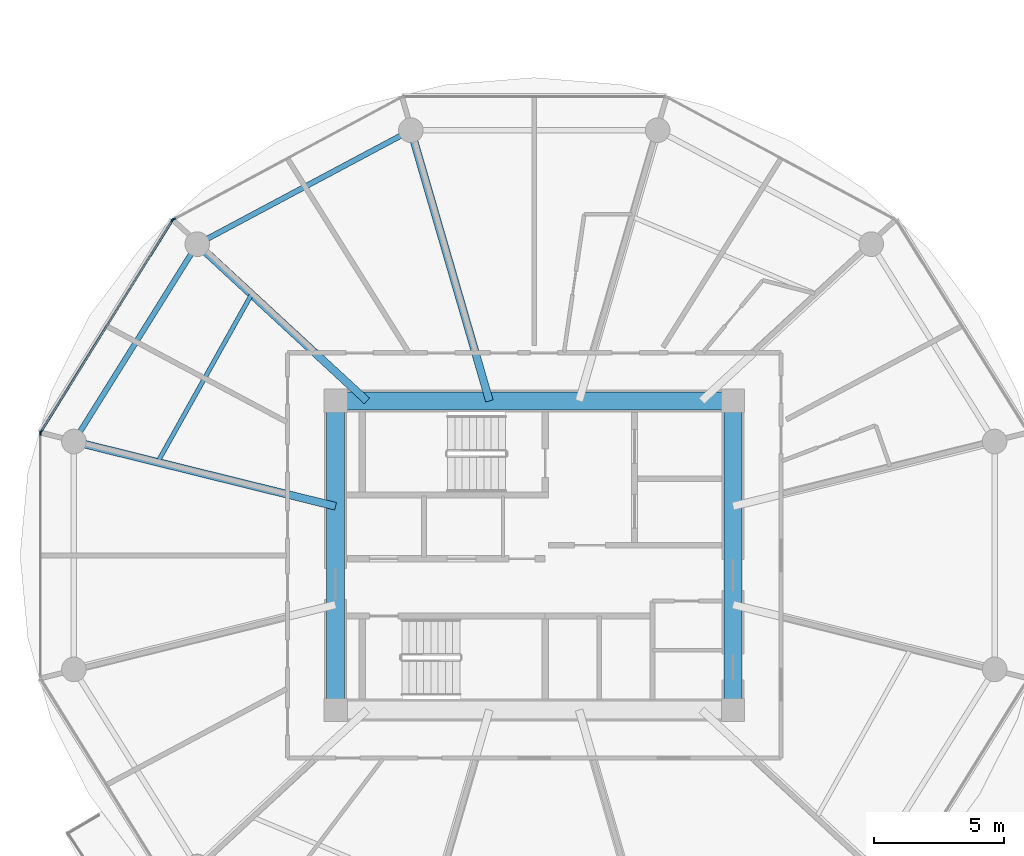
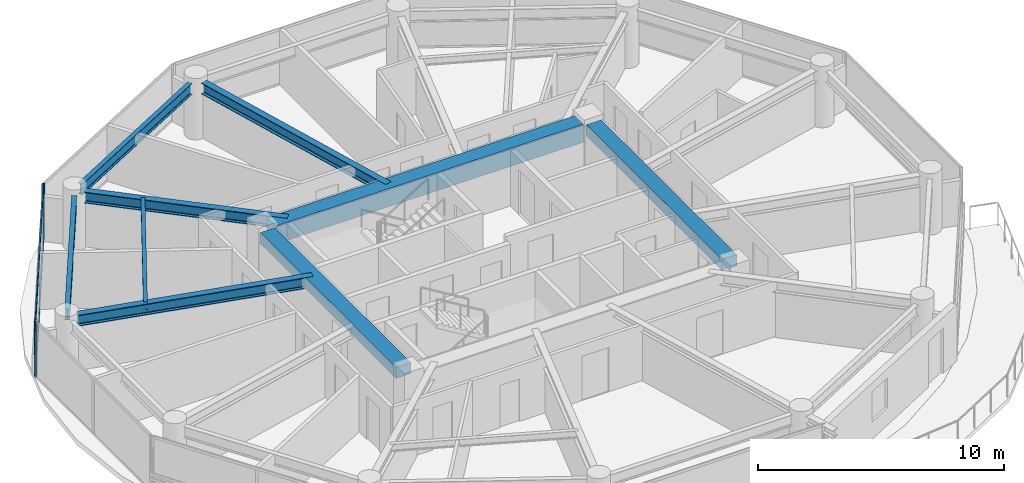
# One storey, part 4 of 26: 9 beams, 6 members, 3 elements without a shape of their own.
"""IFC4 building model written with IfcOpenShell, lengths in metres."""

import ifcopenshell
import ifcopenshell.guid

model = None  # the IFC model being written
_history = None  # IfcOwnerHistory: only IFC2X3 demands one
_inside = {}  # id of a spatial element -> (the spatial element, [elements in it])
_under = {}  # id of a project, library or spatial element -> (it, [spatial elements below it])
_declared = {}  # id of a project -> (the project, [libraries it declares])
_typed = {}  # id of a type object -> (the type object, [elements of that type])
_made_of = {}  # id of a material, layer set ... -> (it, [elements and type objects made of it])


def new_model(schema):
    """Start an empty IFC model of exactly this schema.

    Asked for "IFC4X3", IfcOpenShell would pick the latest addendum, in which some entities
    have other attributes; the version numbers below select the first issue.
    IFC2X3 requires an IfcOwnerHistory on every rooted entity: one is made here for all.
    """
    global model, _history
    if schema == "IFC4X3":
        model = ifcopenshell.file(schema_version=(4, 3, 0, 0))
    else:
        model = ifcopenshell.file(schema=schema)
    _inside.clear()
    _under.clear()
    _declared.clear()
    _typed.clear()
    _made_of.clear()
    _history = None
    if model.schema == "IFC2X3":
        org = make("IfcOrganization", Name="unknown")
        user = make(
            "IfcPersonAndOrganization",
            ThePerson=make("IfcPerson", FamilyName="unknown"),
            TheOrganization=org,
        )
        app = make(
            "IfcApplication",
            ApplicationDeveloper=org,
            Version="unknown",
            ApplicationFullName="unknown",
            ApplicationIdentifier="unknown",
        )
        _history = make(
            "IfcOwnerHistory",
            OwningUser=user,
            OwningApplication=app,
            ChangeAction="ADDED",
            CreationDate=0,
        )
    return model


def make(cls, **values):
    """One entity of the class cls with the attributes given. An attribute that is None is left unset."""
    return model.create_entity(
        cls, **{name: value for name, value in values.items() if value is not None}
    )


def rooted(cls, **values):
    """An entity with a GlobalId (a new one), such as an element, a storey or a relation."""
    return make(cls, GlobalId=ifcopenshell.guid.new(), OwnerHistory=_history, **values)


def si_unit(unit_type, name, prefix=None):
    """IfcSIUnit, for example si_unit("LENGTHUNIT", "METRE", prefix="MILLI")."""
    return make("IfcSIUnit", UnitType=unit_type, Prefix=prefix, Name=name)


def assignment(units):
    """IfcUnitAssignment: the units of a project."""
    return None if units is None else make("IfcUnitAssignment", Units=units)


def point(xyz):
    """IfcCartesianPoint."""
    return None if xyz is None else make("IfcCartesianPoint", Coordinates=xyz)


def direction(xyz):
    """IfcDirection."""
    return None if xyz is None else make("IfcDirection", DirectionRatios=xyz)


def frame(location, z_axis=None, x_axis=None):
    """IfcAxis2Placement3D, a coordinate frame: its origin and axes. An axis left out is left unset."""
    return make(
        "IfcAxis2Placement3D",
        Location=point(location),
        Axis=direction(z_axis),
        RefDirection=direction(x_axis),
    )


def frame_2d(location, x_axis=None):
    """IfcAxis2Placement2D, a coordinate frame in the plane: its origin and x axis."""
    return make(
        "IfcAxis2Placement2D", Location=point(location), RefDirection=direction(x_axis)
    )


def origin():
    """The frame at (0, 0, 0) with its axes left unset."""
    return frame((0.0, 0.0, 0.0))


def origin_2d():
    """The frame at (0, 0) in the plane with its x axis left unset."""
    return frame_2d((0.0, 0.0))


def place(relative_to, where):
    """IfcLocalPlacement: puts the frame where relative to a parent placement (None: the world)."""
    return make(
        "IfcLocalPlacement", PlacementRelTo=relative_to, RelativePlacement=where
    )


def context(
    kind, dimensions, precision=None, world=None, true_north=None, identifier=None
):
    """IfcGeometricRepresentationContext, for example the 3D "Model" context."""
    return make(
        "IfcGeometricRepresentationContext",
        ContextIdentifier=identifier,
        ContextType=kind,
        CoordinateSpaceDimension=dimensions,
        Precision=precision,
        WorldCoordinateSystem=world,
        TrueNorth=true_north,
    )


def subcontext(parent, identifier, kind, view, scale=None):
    """IfcGeometricRepresentationSubContext, for example "Body" below "Model"."""
    return make(
        "IfcGeometricRepresentationSubContext",
        ContextIdentifier=identifier,
        ContextType=kind,
        ParentContext=parent,
        TargetScale=scale,
        TargetView=view,
    )


def project(units=None, contexts=None):
    """IfcProject with its units and contexts."""
    return rooted(
        "IfcProject",
        Name="project",
        RepresentationContexts=contexts,
        UnitsInContext=assignment(units),
    )


def spatial(cls, under=None, at=None, **own):
    """A site, building, storey or space (cls), placed at a placement, below another one or the project."""
    s = rooted(cls, ObjectPlacement=at, **own)
    if under is not None:
        _under.setdefault(under.id(), (under, []))[1].append(s)
    return s


def profile(cls, at=None, kind="AREA", **sizes):
    """A parametric profile (cls). Its sizes go by their IFC names, for example OverallWidth=200.0."""
    return make(cls, ProfileType=kind, Position=at, **sizes)


def rectangle(**sizes):
    """IfcRectangleProfileDef."""
    return profile("IfcRectangleProfileDef", **sizes)


def i_section(**sizes):
    """IfcIShapeProfileDef."""
    return profile("IfcIShapeProfileDef", **sizes)


def extrude(swept, where, along, depth):
    """IfcExtrudedAreaSolid: the profile swept, set in the frame where, extruded along a direction by depth."""
    return make(
        "IfcExtrudedAreaSolid",
        SweptArea=swept,
        Position=where,
        ExtrudedDirection=direction(along),
        Depth=depth,
    )


def shape(context_of_items, identifier, shape_type, items):
    """IfcShapeRepresentation: the items that make up one representation, for example the "Body"."""
    return make(
        "IfcShapeRepresentation",
        ContextOfItems=context_of_items,
        RepresentationIdentifier=identifier,
        RepresentationType=shape_type,
        Items=items,
    )


def source(mapping_origin, context_of_items, identifier, shape_type, items):
    """IfcRepresentationMap: a shape defined once, which mapped items show again and again."""
    return make(
        "IfcRepresentationMap",
        MappingOrigin=mapping_origin,
        MappedRepresentation=shape(context_of_items, identifier, shape_type, items),
    )


def transform(
    local_origin,
    x_axis=None,
    y_axis=None,
    z_axis=None,
    scale=None,
    scale2=None,
    scale3=None,
    uniform=True,
):
    """IfcCartesianTransformationOperator3D, or its non-uniform kind. x_axis, y_axis, z_axis: its Axis1, 2, 3."""
    if uniform:
        return make(
            "IfcCartesianTransformationOperator3D",
            Axis1=direction(x_axis),
            Axis2=direction(y_axis),
            LocalOrigin=point(local_origin),
            Scale=scale,
            Axis3=direction(z_axis),
        )
    return make(
        "IfcCartesianTransformationOperator3DnonUniform",
        Axis1=direction(x_axis),
        Axis2=direction(y_axis),
        LocalOrigin=point(local_origin),
        Scale=scale,
        Axis3=direction(z_axis),
        Scale2=scale2,
        Scale3=scale3,
    )


def mapped(mapping_source, mapping_target):
    """IfcMappedItem: shows the shape of a source again, moved by a transform."""
    return make(
        "IfcMappedItem", MappingSource=mapping_source, MappingTarget=mapping_target
    )


def material(Name=None, Category=None):
    """IfcMaterial."""
    return make("IfcMaterial", Name=Name, Category=Category)


def layer(
    of_material, thickness, ventilated=None, Name=None, Category=None, Priority=None
):
    """IfcMaterialLayer: one layer of a wall or slab, of a material (None: an air gap)."""
    return make(
        "IfcMaterialLayer",
        Material=of_material,
        LayerThickness=thickness,
        IsVentilated=ventilated,
        Name=Name,
        Category=Category,
        Priority=Priority,
    )


def layer_set(layers, Name=None):
    """IfcMaterialLayerSet."""
    return make("IfcMaterialLayerSet", MaterialLayers=layers, LayerSetName=Name)


def material_profile(
    of_material, cross_section, Name=None, Category=None, Priority=None
):
    """IfcMaterialProfile: a cross section and its material."""
    return make(
        "IfcMaterialProfile",
        Name=Name,
        Material=of_material,
        Profile=cross_section,
        Priority=Priority,
        Category=Category,
    )


def profile_set(profiles, Name=None, composite=None):
    """IfcMaterialProfileSet."""
    return make(
        "IfcMaterialProfileSet",
        Name=Name,
        MaterialProfiles=profiles,
        CompositeProfile=composite,
    )


def made_of(thing, what):
    """Note that an element or type object is made of a material, layer set ...; save() writes the relation."""
    if what is not None:
        _made_of.setdefault(what.id(), (what, []))[1].append(thing)
    return thing


def type_object(cls, material=None, **own):
    """A type object (cls), such as IfcWallType, which elements share."""
    return made_of(rooted(cls, **own), material)


def type_shapes(of_type, sources):
    """Give a type object the sources (RepresentationMaps) that its elements show as mapped items."""
    of_type.RepresentationMaps = sources


def element(
    cls,
    number,
    at=None,
    inside=None,
    cuts=None,
    type_object=None,
    material=None,
    context=None,
    identifier="Body",
    shape_type=None,
    held_by="IfcProductDefinitionShape",
    body=None,
    shapes=None,
    **own,
):
    """One element of the class cls, such as IfcWall. Its Tag is "e" and its number.

    at: its placement. inside: the storey or other place that contains it. cuts: it is an
    opening in that element (IfcRelVoidsElement). A single representation is given by context,
    identifier, shape_type and body (its items); several are given by shapes. held_by: the class
    of the entity that holds the representations. save() writes the other relations.
    """
    e = rooted(cls, Tag="e%d" % number, ObjectPlacement=at, **own)
    if body is not None:
        shapes = [shape(context, identifier, shape_type, body)]
    if shapes is not None:
        e.Representation = make(held_by, Representations=shapes)
    if inside is not None:
        _inside.setdefault(inside.id(), (inside, []))[1].append(e)
    if cuts is not None:
        rooted(
            "IfcRelVoidsElement", RelatingBuildingElement=cuts, RelatedOpeningElement=e
        )
    if type_object is not None:
        _typed.setdefault(type_object.id(), (type_object, []))[1].append(e)
    return made_of(e, material)


def aggregate(whole, parts):
    """IfcRelAggregates: a whole, such as a stair, and the parts it consists of."""
    return rooted("IfcRelAggregates", RelatingObject=whole, RelatedObjects=parts)


def save(model, path):
    """Write the relations noted so far, then the file.

    IfcRelAggregates (storeys below a building ...), IfcRelContainedInSpatialStructure (elements
    in a storey), IfcRelDefinesByType, IfcRelAssociatesMaterial and IfcRelDeclares: one each for
    every whole, place, type object, material and project.
    """
    for whole, parts in _under.values():
        aggregate(whole, parts)
    for where, things in _inside.values():
        rooted(
            "IfcRelContainedInSpatialStructure",
            RelatedElements=things,
            RelatingStructure=where,
        )
    for kind, things in _typed.values():
        rooted("IfcRelDefinesByType", RelatedObjects=things, RelatingType=kind)
    for what, things in _made_of.values():
        rooted("IfcRelAssociatesMaterial", RelatedObjects=things, RelatingMaterial=what)
    for by, libraries in _declared.values():
        rooted("IfcRelDeclares", RelatingContext=by, RelatedDefinitions=libraries)
    model.write(path)


model = new_model("IFC4")

# Units and contexts
model_context = context("Model", 3, precision=1e-05, world=origin(), true_north=direction((0.0, 1.0)))
body_context = subcontext(model_context, "Body", "Model", "MODEL_VIEW")
ifc_project = project(units=[si_unit("LENGTHUNIT", "METRE"), si_unit("AREAUNIT", "SQUARE_METRE"), si_unit("VOLUMEUNIT", "CUBIC_METRE"), si_unit("PLANEANGLEUNIT", "RADIAN"), si_unit("MASSUNIT", "GRAM", prefix="KILO")], contexts=[model_context])

# Site, building, storey
site_placement = place(None, origin())
site = spatial("IfcSite", under=ifc_project, at=site_placement, CompositionType="ELEMENT")
building_placement = place(site_placement, origin())
building = spatial("IfcBuilding", under=site, at=building_placement, Name="Norrkilde Senior Care Towers", CompositionType="ELEMENT")
storey_placement = place(building_placement, frame((0.0, 0.0, 55.14990234375)))
storey = spatial("IfcBuildingStorey", under=building, at=storey_placement, Name="L16", CompositionType="ELEMENT", Elevation=55.14990234375)

# Beams
ifc_material_1 = material(Name="Concrete C60/75", Category="concrete")
ifc_material_profile_1 = material_profile(ifc_material_1, rectangle(XDim=0.699951171875, YDim=0.89990234375, at=origin_2d()), Name="RC BM 700x900")
ifc_profile_set_1 = profile_set([ifc_material_profile_1], Name="Concrete C60/75")
beam_type_1 = type_object("IfcBeamType", Name="Core Coupling Girder 700x900", PredefinedType="USERDEFINED", material=ifc_profile_set_1)
shared_shape_1 = source(origin(), body_context, "Body", "SweptSolid", [
    extrude(rectangle(XDim=0.699951171875, YDim=0.89990234375, at=origin_2d()), origin(), (0.0, 0.0, 1.0), 14.43994140625),
])
type_shapes(beam_type_1, [shared_shape_1])
beam_1_placement = place(storey_placement, frame((-35.219970703125, 5.949951171875, 2.340087890625), z_axis=(1.0, 0.0, 0.0), x_axis=(0.0, 1.0, 0.0)))
element("IfcBeam", 1, at=beam_1_placement, inside=storey, type_object=beam_type_1, Name="L16 Core W N Coupling Girder", ObjectType="GIRDER", PredefinedType="USERDEFINED", context=body_context, shape_type="MappedRepresentation", body=[
    mapped(shared_shape_1, transform((0.0, 0.0, 0.0), x_axis=(1.0, 0.0, 0.0), y_axis=(0.0, 1.0, 0.0), z_axis=(0.0, 0.0, 1.0), scale=1.0)),
])
ifc_material_profile_2 = material_profile(ifc_material_1, rectangle(XDim=0.699951171875, YDim=0.550048828125, at=origin_2d()), Name="RC BM 700x550")
ifc_profile_set_2 = profile_set([ifc_material_profile_2], Name="Concrete C60/75")
beam_type_2 = type_object("IfcBeamType", Name="Core Portal Coupling Beam 700x550", PredefinedType="USERDEFINED", material=ifc_profile_set_2)
shared_shape_2 = source(origin(), body_context, "Body", "SweptSolid", [
    extrude(rectangle(XDim=0.699951171875, YDim=0.550048828125, at=origin_2d()), origin(), (0.0, 0.0, 1.0), 11.0400390625),
])
type_shapes(beam_type_2, [shared_shape_2])
for number, where, z_axis, x_axis, name in (
    (2, (-35.64990234375, -5.52001953125, 2.51513671875), (0.0, 1.0, 0.0), (-1.0, 0.0, 0.0), "L16 Core W W Coupling Girder"),
    (3, (-20.35009765625, -5.52001953125, 2.51513671875), (0.0, 1.0, 0.0), (-1.0, 0.0, 0.0), "L16 Core W E Coupling Girder"),
):
    element("IfcBeam", number, at=place(storey_placement, frame(where, z_axis=z_axis, x_axis=x_axis)), inside=storey, type_object=beam_type_2, Name=name, ObjectType="GIRDER", PredefinedType="USERDEFINED", context=body_context, shape_type="MappedRepresentation", body=[
        mapped(shared_shape_2, transform((0.0, 0.0, 0.0), x_axis=(1.0, 0.0, 0.0), y_axis=(0.0, 1.0, 0.0), z_axis=(0.0, 0.0, 1.0), scale=1.0)),
    ])
ifc_material_2 = material(Name="Steel S355", Category="steel")
ifc_material_profile_3 = material_profile(ifc_material_2, i_section(OverallWidth=0.2099609375, OverallDepth=0.550048828125, WebThickness=0.010986328125, FlangeThickness=0.01708984375, FilletRadius=0.02392578125, at=origin_2d()), Name="IPE 550")
ifc_profile_set_3 = profile_set([ifc_material_profile_3], Name="Steel S355")
beam_type_3 = type_object("IfcBeamType", Name="Perimeter Ring Spandrel Z1 IPE550", PredefinedType="SPANDREL", material=ifc_profile_set_3)
shared_shape_3 = source(origin(), body_context, "Body", "SweptSolid", [
    extrude(i_section(OverallWidth=0.2099609375, OverallDepth=0.550048828125, WebThickness=0.010986328125, FlangeThickness=0.01708984375, FilletRadius=0.02392578125, at=origin_2d()), origin(), (0.0, 0.0, 1.0), 8.090576171875),
])
beam_2_placement = place(storey_placement, frame((-41.2060546875, 11.61669921875, 2.51513671875), z_axis=(-0.530004364821, -0.84799491347, 0.0), x_axis=(0.84799491347, -0.530004364821, 0.0)))
element("IfcBeam", 4, at=beam_2_placement, inside=storey, type_object=beam_type_3, Name="L16 Drum W Perimeter Spandrel 05", PredefinedType="SPANDREL", context=body_context, shape_type="MappedRepresentation", body=[
    mapped(shared_shape_3, transform((0.0, 0.0, 0.0), x_axis=(1.0, 0.0, 0.0), y_axis=(0.0, 1.0, 0.0), z_axis=(0.0, 0.0, 1.0), scale=1.0)),
])
ifc_material_profile_4 = material_profile(ifc_material_2, i_section(OverallWidth=0.300048828125, OverallDepth=0.550048828125, WebThickness=0.014892578125, FlangeThickness=0.029052734375, FilletRadius=0.027099609375, at=origin_2d()), Name="HEB 550")
ifc_profile_set_4 = profile_set([ifc_material_profile_4], Name="Steel S355")
beam_type_4 = type_object("IfcBeamType", Name="Radial Floor Beam Z1 HEB550", PredefinedType="BEAM", material=ifc_profile_set_4)
shared_shape_4 = source(origin(), body_context, "Body", "SweptSolid", [
    extrude(i_section(OverallWidth=0.300048828125, OverallDepth=0.550048828125, WebThickness=0.014892578125, FlangeThickness=0.029052734375, FilletRadius=0.027099609375, at=origin_2d()), origin(), (0.0, 0.0, 1.0), 9.94384765625),
])
beam_3_placement = place(storey_placement, frame((-35.64990234375, 1.893310546875, 2.51513671875), z_axis=(-0.970707425182, 0.240264634718, 0.0), x_axis=(-0.240264634718, -0.970707425182, 0.0)))
element("IfcBeam", 5, at=beam_3_placement, inside=storey, type_object=beam_type_4, Name="L16 Drum W Radial Floor Beam 06", PredefinedType="BEAM", context=body_context, shape_type="MappedRepresentation", body=[
    mapped(shared_shape_4, transform((0.0, 0.0, 0.0), x_axis=(1.0, 0.0, 0.0), y_axis=(0.0, 1.0, 0.0), z_axis=(0.0, 0.0, 1.0), scale=1.0)),
])
shared_shape_5 = source(origin(), body_context, "Body", "SweptSolid", [
    extrude(i_section(OverallWidth=0.2099609375, OverallDepth=0.550048828125, WebThickness=0.010986328125, FlangeThickness=0.01708984375, FilletRadius=0.02392578125, at=origin_2d()), origin(), (0.0, 0.0, 1.0), 8.452880859375),
])
type_shapes(beam_type_3, [shared_shape_3, shared_shape_5])
beam_4_placement = place(storey_placement, frame((-33.133056640625, 16.167724609375, 2.51513671875), z_axis=(-0.882368931134, -0.470558252898, 0.0), x_axis=(0.470558252898, -0.882368931134, 0.0)))
element("IfcBeam", 6, at=beam_4_placement, inside=storey, type_object=beam_type_3, Name="L16 Drum W Perimeter Spandrel 04", PredefinedType="SPANDREL", context=body_context, shape_type="MappedRepresentation", body=[
    mapped(shared_shape_5, transform((0.0, 0.0, 0.0), x_axis=(1.0, 0.0, 0.0), y_axis=(0.0, 1.0, 0.0), z_axis=(0.0, 0.0, 1.0), scale=1.0)),
])
shared_shape_6 = source(origin(), body_context, "Body", "SweptSolid", [
    extrude(i_section(OverallWidth=0.300048828125, OverallDepth=0.550048828125, WebThickness=0.014892578125, FlangeThickness=0.029052734375, FilletRadius=0.027099609375, at=origin_2d()), origin(), (0.0, 0.0, 1.0), 8.459716796875),
])
beam_5_placement = place(storey_placement, frame((-34.44140625, 5.949951171875, 2.51513671875), z_axis=(-0.734573269108, 0.678529374686, 0.0), x_axis=(-0.678529374686, -0.734573269108, 0.0)))
element("IfcBeam", 7, at=beam_5_placement, inside=storey, type_object=beam_type_4, Name="L16 Drum W Radial Floor Beam 05", PredefinedType="BEAM", context=body_context, shape_type="MappedRepresentation", body=[
    mapped(shared_shape_6, transform((0.0, 0.0, 0.0), x_axis=(1.0, 0.0, 0.0), y_axis=(0.0, 1.0, 0.0), z_axis=(0.0, 0.0, 1.0), scale=1.0)),
])
shared_shape_7 = source(origin(), body_context, "Body", "SweptSolid", [
    extrude(i_section(OverallWidth=0.300048828125, OverallDepth=0.550048828125, WebThickness=0.014892578125, FlangeThickness=0.029052734375, FilletRadius=0.027099609375, at=origin_2d()), origin(), (0.0, 0.0, 1.0), 10.4169921875),
])
type_shapes(beam_type_4, [shared_shape_4, shared_shape_6, shared_shape_7])
beam_6_placement = place(storey_placement, frame((-29.72607421875, 5.949951171875, 2.51513671875), z_axis=(-0.278591250785, 0.960409764104, 0.0), x_axis=(-0.960409764104, -0.278591250785, 0.0)))
element("IfcBeam", 8, at=beam_6_placement, inside=storey, type_object=beam_type_4, Name="L16 Drum W Radial Floor Beam 04", PredefinedType="BEAM", context=body_context, shape_type="MappedRepresentation", body=[
    mapped(shared_shape_7, transform((0.0, 0.0, 0.0), x_axis=(1.0, 0.0, 0.0), y_axis=(0.0, 1.0, 0.0), z_axis=(0.0, 0.0, 1.0), scale=1.0)),
])
ifc_material_profile_5 = material_profile(ifc_material_2, i_section(OverallWidth=0.169921875, OverallDepth=0.360107421875, WebThickness=0.008056640625, FlangeThickness=0.0126953125, FilletRadius=0.01806640625, at=origin_2d()), Name="IPE 360")
ifc_profile_set_5 = profile_set([ifc_material_profile_5], Name="Steel S355")
beam_type_5 = type_object("IfcBeamType", Name="Secondary Floor Joist IPE360", PredefinedType="JOIST", material=ifc_profile_set_5)
shared_shape_8 = source(origin(), body_context, "Body", "SweptSolid", [
    extrude(i_section(OverallWidth=0.169921875, OverallDepth=0.360107421875, WebThickness=0.008056640625, FlangeThickness=0.0126953125, FilletRadius=0.01806640625, at=origin_2d()), origin(), (0.0, 0.0, 1.0), 7.40771484375),
])
type_shapes(beam_type_5, [shared_shape_8])
beam_7_placement = place(storey_placement, frame((-38.884521484375, 10.05419921875, 2.610107421875), z_axis=(-0.488167754092, -0.872749817453, 0.0), x_axis=(0.872749817453, -0.488167754092, 0.0)))
element("IfcBeam", 9, at=beam_7_placement, inside=storey, type_object=beam_type_5, Name="L16 Drum W Secondary Floor Joist 2", PredefinedType="JOIST", context=body_context, shape_type="MappedRepresentation", body=[
    mapped(shared_shape_8, transform((0.0, 0.0, 0.0), x_axis=(1.0, 0.0, 0.0), y_axis=(0.0, 1.0, 0.0), z_axis=(0.0, 0.0, 1.0), scale=1.0)),
])

# Curtain wall, member
ifc_material_3 = material(Name="Triple Low-E Insulated Glazing", Category="glass")
ifc_layer = layer(ifc_material_3, 0.199951171875)
ifc_layer_set = layer_set([ifc_layer], Name="Triple Low-E Insulated Glazing")
curtain_wall_type = type_object("IfcCurtainWallType", Name="CW2 Zone 1 Memory Care Curtain Wall", PredefinedType="NOTDEFINED", material=ifc_layer_set)
curtain_wall_1_placement = place(storey_placement, origin())
curtain_wall_1 = element("IfcCurtainWall", 10, at=curtain_wall_1_placement, inside=storey, type_object=curtain_wall_type, Name="L16 Drum W Curtain Wall 03", PredefinedType="NOTDEFINED")
ifc_material_4 = material(Name="Anodised Aluminium", Category="aluminium")
ifc_material_profile_6 = material_profile(ifc_material_4, rectangle(XDim=0.06494140625, YDim=0.159912109375, at=origin_2d()), Name="ALU MULL 65x160")
ifc_profile_set_6 = profile_set([ifc_material_profile_6], Name="Anodised Aluminium")
member_type_1 = type_object("IfcMemberType", Name="Curtain Wall Mullion Z1-Z2 65x160", PredefinedType="MULLION", material=ifc_profile_set_6)
shared_shape_9 = source(origin(), body_context, "Body", "SweptSolid", [
    extrude(rectangle(XDim=0.06494140625, YDim=0.159912109375, at=origin_2d()), origin(), (0.0, 0.0, 1.0), 2.7900390625),
])
type_shapes(member_type_1, [shared_shape_9])
member_1_placement = place(storey_placement, frame((-41.88720703125, 12.941162109375, 0.0), z_axis=(0.0, 0.0, 1.0), x_axis=(-0.472607802456, 0.881272866403, 0.0)))
member_1 = element("IfcMember", 11, at=member_1_placement, type_object=member_type_1, Name="CW-2 mullion 1", PredefinedType="MULLION", context=body_context, shape_type="MappedRepresentation", body=[
    mapped(shared_shape_9, transform((0.0, 0.0, 0.0), x_axis=(1.0, 0.0, 0.0), y_axis=(0.0, 1.0, 0.0), z_axis=(0.0, 0.0, 1.0), scale=1.0)),
])
aggregate(curtain_wall_1, [member_1])

# Curtain wall, members
curtain_wall_2_placement = place(storey_placement, origin())
curtain_wall_2 = element("IfcCurtainWall", 12, at=curtain_wall_2_placement, inside=storey, type_object=curtain_wall_type, Name="L16 Drum W Curtain Wall 04", PredefinedType="NOTDEFINED")
member_2_placement = place(storey_placement, frame((-46.9921875, 4.7587890625, 0.0), z_axis=(0.0, 0.0, 1.0), x_axis=(-0.849305943117, 0.527900951871, 0.0)))
member_2 = element("IfcMember", 13, at=member_2_placement, type_object=member_type_1, Name="CW-2 mullion 1", PredefinedType="MULLION", context=body_context, shape_type="MappedRepresentation", body=[
    mapped(shared_shape_9, transform((0.0, 0.0, 0.0), x_axis=(1.0, 0.0, 0.0), y_axis=(0.0, 1.0, 0.0), z_axis=(0.0, 0.0, 1.0), scale=1.0)),
])
member_3_placement = place(storey_placement, frame((-41.93310546875, 12.898193359375, 0.0), z_axis=(0.0, 0.0, 1.0), x_axis=(-0.849305943117, 0.527900951871, 0.0)))
member_3 = element("IfcMember", 14, at=member_3_placement, type_object=member_type_1, Name="CW-2 mullion 2", PredefinedType="MULLION", context=body_context, shape_type="MappedRepresentation", body=[
    mapped(shared_shape_9, transform((0.0, 0.0, 0.0), x_axis=(1.0, 0.0, 0.0), y_axis=(0.0, 1.0, 0.0), z_axis=(0.0, 0.0, 1.0), scale=1.0)),
])

# Curtain wall, member
curtain_wall_3_placement = place(storey_placement, origin())
curtain_wall_3 = element("IfcCurtainWall", 15, at=curtain_wall_3_placement, inside=storey, type_object=curtain_wall_type, Name="L16 Drum W Curtain Wall 05", PredefinedType="NOTDEFINED")
member_4_placement = place(storey_placement, frame((-47.009521484375, 4.69873046875, 0.0), z_axis=(0.0, 0.0, 1.0), x_axis=(-1.0, 0.0, 0.0)))
member_4 = element("IfcMember", 16, at=member_4_placement, type_object=member_type_1, Name="CW-2 mullion 2", PredefinedType="MULLION", context=body_context, shape_type="MappedRepresentation", body=[
    mapped(shared_shape_9, transform((0.0, 0.0, 0.0), x_axis=(1.0, 0.0, 0.0), y_axis=(0.0, 1.0, 0.0), z_axis=(0.0, 0.0, 1.0), scale=1.0)),
])
aggregate(curtain_wall_3, [member_4])

# Member
ifc_material_profile_7 = material_profile(ifc_material_4, rectangle(XDim=0.06005859375, YDim=0.1201171875, at=origin_2d()), Name="ALU TRAN 60x120")
ifc_profile_set_7 = profile_set([ifc_material_profile_7], Name="Anodised Aluminium")
member_type_2 = type_object("IfcMemberType", Name="Curtain Wall Transom Typical 60x120", PredefinedType="USERDEFINED", material=ifc_profile_set_7)
shared_shape_10 = source(origin(), body_context, "Body", "SweptSolid", [
    extrude(rectangle(XDim=0.06005859375, YDim=0.1201171875, at=origin_2d()), origin(), (0.0, 0.0, 1.0), 9.5185546875),
])
type_shapes(member_type_2, [shared_shape_10])
member_5_placement = place(storey_placement, frame((-46.97509765625, 4.786376953125, 0.030029296875), z_axis=(0.527901620669, 0.849305527413, 0.0), x_axis=(-0.849305527413, 0.527901620669, 0.0)))
member_5 = element("IfcMember", 17, at=member_5_placement, type_object=member_type_2, Name="CW-2 transom 1.1", ObjectType="TRANSOM", PredefinedType="USERDEFINED", context=body_context, shape_type="MappedRepresentation", body=[
    mapped(shared_shape_10, transform((0.0, 0.0, 0.0), x_axis=(1.0, 0.0, 0.0), y_axis=(0.0, 1.0, 0.0), z_axis=(0.0, 0.0, 1.0), scale=1.0)),
])

member_6_placement = place(storey_placement, frame((-46.97509765625, 4.786376953125, 2.760009765625), z_axis=(0.527901620669, 0.849305527413, 0.0), x_axis=(-0.849305527413, 0.527901620669, 0.0)))
member_6 = element("IfcMember", 18, at=member_6_placement, type_object=member_type_2, Name="CW-2 transom 1.2", ObjectType="TRANSOM", PredefinedType="USERDEFINED", context=body_context, shape_type="MappedRepresentation", body=[
    mapped(shared_shape_10, transform((0.0, 0.0, 0.0), x_axis=(1.0, 0.0, 0.0), y_axis=(0.0, 1.0, 0.0), z_axis=(0.0, 0.0, 1.0), scale=1.0)),
])

aggregate(curtain_wall_2, [member_2, member_3, member_5, member_6])

save(model, "model.ifc")
